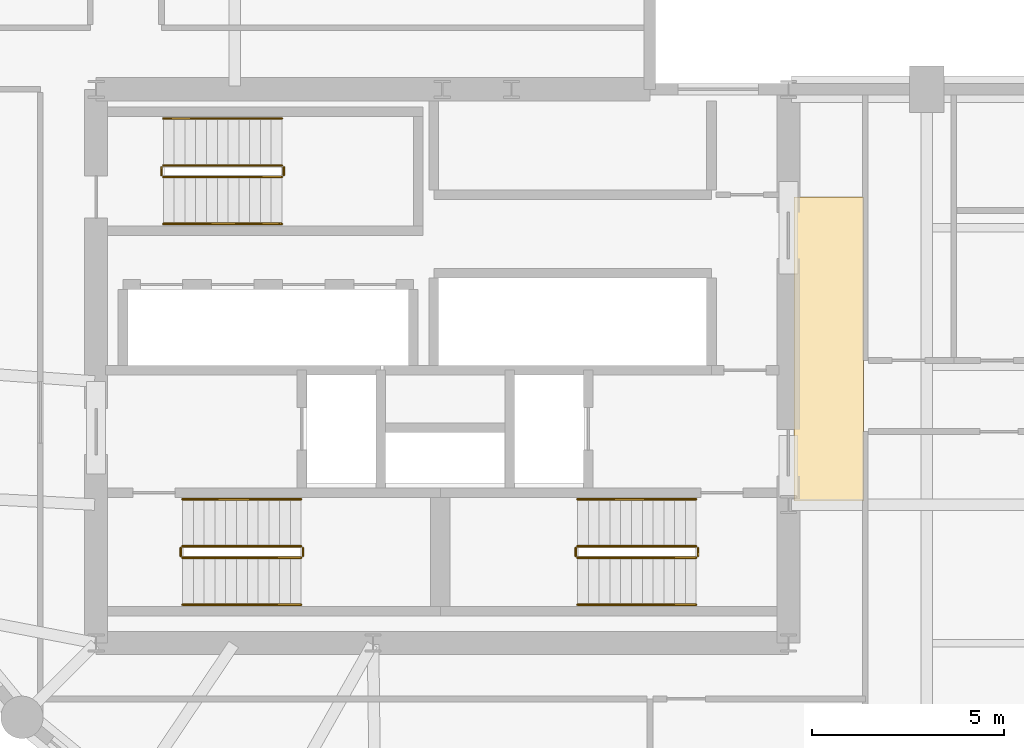
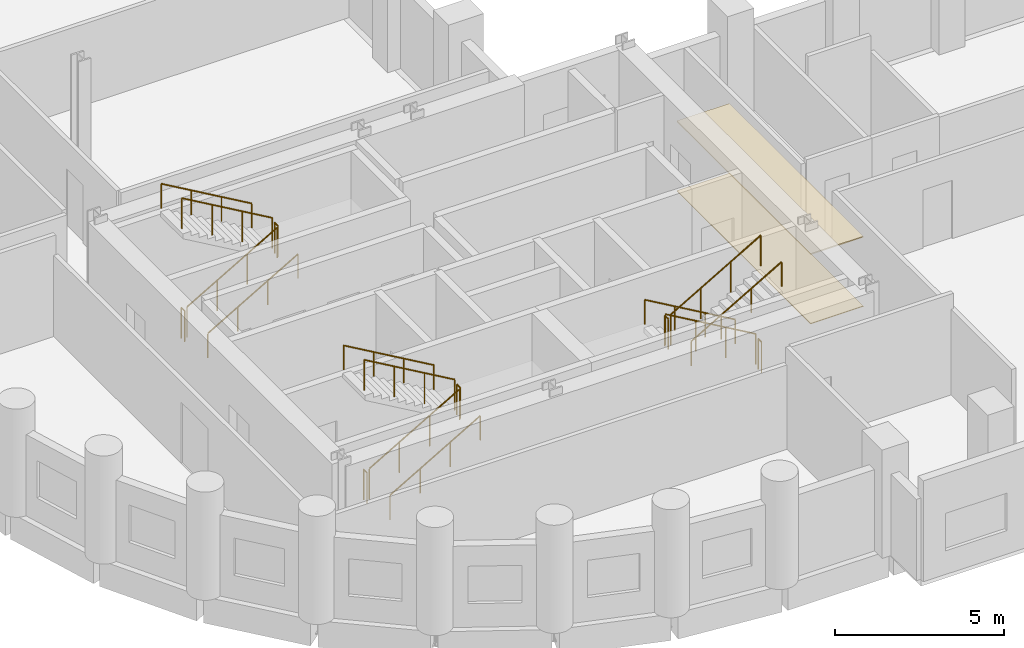
# One storey, part 9 of 9: 18 railings, 2 coverings.
"""IFC4 building model written with IfcOpenShell, lengths in metres."""

import ifcopenshell
import ifcopenshell.guid

model = None  # the IFC model being written
_history = None  # IfcOwnerHistory: only IFC2X3 demands one
_inside = {}  # id of a spatial element -> (the spatial element, [elements in it])
_under = {}  # id of a project, library or spatial element -> (it, [spatial elements below it])
_declared = {}  # id of a project -> (the project, [libraries it declares])
_typed = {}  # id of a type object -> (the type object, [elements of that type])
_made_of = {}  # id of a material, layer set ... -> (it, [elements and type objects made of it])


def new_model(schema):
    """Start an empty IFC model of exactly this schema.

    Asked for "IFC4X3", IfcOpenShell would pick the latest addendum, in which some entities
    have other attributes; the version numbers below select the first issue.
    IFC2X3 requires an IfcOwnerHistory on every rooted entity: one is made here for all.
    """
    global model, _history
    if schema == "IFC4X3":
        model = ifcopenshell.file(schema_version=(4, 3, 0, 0))
    else:
        model = ifcopenshell.file(schema=schema)
    _inside.clear()
    _under.clear()
    _declared.clear()
    _typed.clear()
    _made_of.clear()
    _history = None
    if model.schema == "IFC2X3":
        org = make("IfcOrganization", Name="unknown")
        user = make(
            "IfcPersonAndOrganization",
            ThePerson=make("IfcPerson", FamilyName="unknown"),
            TheOrganization=org,
        )
        app = make(
            "IfcApplication",
            ApplicationDeveloper=org,
            Version="unknown",
            ApplicationFullName="unknown",
            ApplicationIdentifier="unknown",
        )
        _history = make(
            "IfcOwnerHistory",
            OwningUser=user,
            OwningApplication=app,
            ChangeAction="ADDED",
            CreationDate=0,
        )
    return model


def make(cls, **values):
    """One entity of the class cls with the attributes given. An attribute that is None is left unset."""
    return model.create_entity(
        cls, **{name: value for name, value in values.items() if value is not None}
    )


def rooted(cls, **values):
    """An entity with a GlobalId (a new one), such as an element, a storey or a relation."""
    return make(cls, GlobalId=ifcopenshell.guid.new(), OwnerHistory=_history, **values)


def si_unit(unit_type, name, prefix=None):
    """IfcSIUnit, for example si_unit("LENGTHUNIT", "METRE", prefix="MILLI")."""
    return make("IfcSIUnit", UnitType=unit_type, Prefix=prefix, Name=name)


def assignment(units):
    """IfcUnitAssignment: the units of a project."""
    return None if units is None else make("IfcUnitAssignment", Units=units)


def point(xyz):
    """IfcCartesianPoint."""
    return None if xyz is None else make("IfcCartesianPoint", Coordinates=xyz)


def direction(xyz):
    """IfcDirection."""
    return None if xyz is None else make("IfcDirection", DirectionRatios=xyz)


def frame(location, z_axis=None, x_axis=None):
    """IfcAxis2Placement3D, a coordinate frame: its origin and axes. An axis left out is left unset."""
    return make(
        "IfcAxis2Placement3D",
        Location=point(location),
        Axis=direction(z_axis),
        RefDirection=direction(x_axis),
    )


def frame_2d(location, x_axis=None):
    """IfcAxis2Placement2D, a coordinate frame in the plane: its origin and x axis."""
    return make(
        "IfcAxis2Placement2D", Location=point(location), RefDirection=direction(x_axis)
    )


def origin():
    """The frame at (0, 0, 0) with its axes left unset."""
    return frame((0.0, 0.0, 0.0))


def origin_2d():
    """The frame at (0, 0) in the plane with its x axis left unset."""
    return frame_2d((0.0, 0.0))


def place(relative_to, where):
    """IfcLocalPlacement: puts the frame where relative to a parent placement (None: the world)."""
    return make(
        "IfcLocalPlacement", PlacementRelTo=relative_to, RelativePlacement=where
    )


def context(
    kind, dimensions, precision=None, world=None, true_north=None, identifier=None
):
    """IfcGeometricRepresentationContext, for example the 3D "Model" context."""
    return make(
        "IfcGeometricRepresentationContext",
        ContextIdentifier=identifier,
        ContextType=kind,
        CoordinateSpaceDimension=dimensions,
        Precision=precision,
        WorldCoordinateSystem=world,
        TrueNorth=true_north,
    )


def subcontext(parent, identifier, kind, view, scale=None):
    """IfcGeometricRepresentationSubContext, for example "Body" below "Model"."""
    return make(
        "IfcGeometricRepresentationSubContext",
        ContextIdentifier=identifier,
        ContextType=kind,
        ParentContext=parent,
        TargetScale=scale,
        TargetView=view,
    )


def project(units=None, contexts=None):
    """IfcProject with its units and contexts."""
    return rooted(
        "IfcProject",
        Name="project",
        RepresentationContexts=contexts,
        UnitsInContext=assignment(units),
    )


def spatial(cls, under=None, at=None, **own):
    """A site, building, storey or space (cls), placed at a placement, below another one or the project."""
    s = rooted(cls, ObjectPlacement=at, **own)
    if under is not None:
        _under.setdefault(under.id(), (under, []))[1].append(s)
    return s


def polyline(points):
    """IfcPolyline through the points."""
    return make("IfcPolyline", Points=[point(p) for p in points])


def profile(cls, at=None, kind="AREA", **sizes):
    """A parametric profile (cls). Its sizes go by their IFC names, for example OverallWidth=200.0."""
    return make(cls, ProfileType=kind, Position=at, **sizes)


def circle(**sizes):
    """IfcCircleProfileDef."""
    return profile("IfcCircleProfileDef", **sizes)


def outline(outer, holes=None, kind="AREA"):
    """IfcArbitraryClosedProfileDef: a profile drawn as a closed curve; with holes, ...WithVoids."""
    if holes is None:
        return make("IfcArbitraryClosedProfileDef", ProfileType=kind, OuterCurve=outer)
    return make(
        "IfcArbitraryProfileDefWithVoids",
        ProfileType=kind,
        OuterCurve=outer,
        InnerCurves=holes,
    )


def extrude(swept, where, along, depth):
    """IfcExtrudedAreaSolid: the profile swept, set in the frame where, extruded along a direction by depth."""
    return make(
        "IfcExtrudedAreaSolid",
        SweptArea=swept,
        Position=where,
        ExtrudedDirection=direction(along),
        Depth=depth,
    )


def shape(context_of_items, identifier, shape_type, items):
    """IfcShapeRepresentation: the items that make up one representation, for example the "Body"."""
    return make(
        "IfcShapeRepresentation",
        ContextOfItems=context_of_items,
        RepresentationIdentifier=identifier,
        RepresentationType=shape_type,
        Items=items,
    )


def material(Name=None, Category=None):
    """IfcMaterial."""
    return make("IfcMaterial", Name=Name, Category=Category)


def layer(
    of_material, thickness, ventilated=None, Name=None, Category=None, Priority=None
):
    """IfcMaterialLayer: one layer of a wall or slab, of a material (None: an air gap)."""
    return make(
        "IfcMaterialLayer",
        Material=of_material,
        LayerThickness=thickness,
        IsVentilated=ventilated,
        Name=Name,
        Category=Category,
        Priority=Priority,
    )


def layer_set(layers, Name=None):
    """IfcMaterialLayerSet."""
    return make("IfcMaterialLayerSet", MaterialLayers=layers, LayerSetName=Name)


def made_of(thing, what):
    """Note that an element or type object is made of a material, layer set ...; save() writes the relation."""
    if what is not None:
        _made_of.setdefault(what.id(), (what, []))[1].append(thing)
    return thing


def type_object(cls, material=None, **own):
    """A type object (cls), such as IfcWallType, which elements share."""
    return made_of(rooted(cls, **own), material)


def element(
    cls,
    number,
    at=None,
    inside=None,
    cuts=None,
    type_object=None,
    material=None,
    context=None,
    identifier="Body",
    shape_type=None,
    held_by="IfcProductDefinitionShape",
    body=None,
    shapes=None,
    **own,
):
    """One element of the class cls, such as IfcWall. Its Tag is "e" and its number.

    at: its placement. inside: the storey or other place that contains it. cuts: it is an
    opening in that element (IfcRelVoidsElement). A single representation is given by context,
    identifier, shape_type and body (its items); several are given by shapes. held_by: the class
    of the entity that holds the representations. save() writes the other relations.
    """
    e = rooted(cls, Tag="e%d" % number, ObjectPlacement=at, **own)
    if body is not None:
        shapes = [shape(context, identifier, shape_type, body)]
    if shapes is not None:
        e.Representation = make(held_by, Representations=shapes)
    if inside is not None:
        _inside.setdefault(inside.id(), (inside, []))[1].append(e)
    if cuts is not None:
        rooted(
            "IfcRelVoidsElement", RelatingBuildingElement=cuts, RelatedOpeningElement=e
        )
    if type_object is not None:
        _typed.setdefault(type_object.id(), (type_object, []))[1].append(e)
    return made_of(e, material)


def aggregate(whole, parts):
    """IfcRelAggregates: a whole, such as a stair, and the parts it consists of."""
    return rooted("IfcRelAggregates", RelatingObject=whole, RelatedObjects=parts)


def save(model, path):
    """Write the relations noted so far, then the file.

    IfcRelAggregates (storeys below a building ...), IfcRelContainedInSpatialStructure (elements
    in a storey), IfcRelDefinesByType, IfcRelAssociatesMaterial and IfcRelDeclares: one each for
    every whole, place, type object, material and project.
    """
    for whole, parts in _under.values():
        aggregate(whole, parts)
    for where, things in _inside.values():
        rooted(
            "IfcRelContainedInSpatialStructure",
            RelatedElements=things,
            RelatingStructure=where,
        )
    for kind, things in _typed.values():
        rooted("IfcRelDefinesByType", RelatedObjects=things, RelatingType=kind)
    for what, things in _made_of.values():
        rooted("IfcRelAssociatesMaterial", RelatedObjects=things, RelatingMaterial=what)
    for by, libraries in _declared.values():
        rooted("IfcRelDeclares", RelatingContext=by, RelatedDefinitions=libraries)
    model.write(path)


model = new_model("IFC4")

# Units and contexts
model_context = context("Model", 3, precision=1e-05, world=origin(), true_north=direction((0.0, 1.0)))
body_context = subcontext(model_context, "Body", "Model", "MODEL_VIEW")
ifc_project = project(units=[si_unit("LENGTHUNIT", "METRE"), si_unit("AREAUNIT", "SQUARE_METRE"), si_unit("VOLUMEUNIT", "CUBIC_METRE"), si_unit("PLANEANGLEUNIT", "RADIAN"), si_unit("MASSUNIT", "GRAM", prefix="KILO")], contexts=[model_context])

# Site, building, storey
site_placement = place(None, origin())
site = spatial("IfcSite", under=ifc_project, at=site_placement, CompositionType="ELEMENT")
building_placement = place(site_placement, origin())
building = spatial("IfcBuilding", under=site, at=building_placement, Name="Solnavia Interchange Tower", CompositionType="ELEMENT")
storey_placement = place(building_placement, frame((0.0, 0.0, 66.89990234375)))
storey = spatial("IfcBuildingStorey", under=building, at=storey_placement, Name="L16", CompositionType="ELEMENT", Elevation=66.89990234375)

# Coverings
ifc_material_1 = material(Name="Perforated Mineral-Fibre & Gypsum Ceiling", Category="gypsum")
ifc_layer_1 = layer(ifc_material_1, 0.0400390625)
ifc_layer_set_1 = layer_set([ifc_layer_1], Name="Perforated Mineral-Fibre & Gypsum Ceiling")
covering_type_1 = type_object("IfcCoveringType", Name="Covering-Ceiling-Acoustic40", PredefinedType="CEILING", material=ifc_layer_set_1)
covering_1_placement = place(storey_placement, frame((0.0, 0.0, 2.5)))
element("IfcCovering", 1, at=covering_1_placement, inside=storey, type_object=covering_type_1, Name="CLG-L16-01 Circulation suspended acoustic ceiling", PredefinedType="CEILING", context=body_context, shape_type="SweptSolid", body=[
    extrude(outline(polyline([(32.550048828125, 14.5), (34.35009765625, 14.5), (34.35009765625, 22.39990234375), (32.550048828125, 22.39990234375), (32.550048828125, 14.5)])), origin(), (0.0, 0.0, 1.0), 0.0400390625),
])
ifc_material_2 = material(Name="Polished Alicante Stone Terrazzo", Category="masonry")
ifc_layer_2 = layer(ifc_material_2, 0.02490234375)
ifc_layer_set_2 = layer_set([ifc_layer_2], Name="Polished Alicante Stone Terrazzo")
covering_type_2 = type_object("IfcCoveringType", Name="Covering-Flooring-Terrazzo25", PredefinedType="FLOORING", material=ifc_layer_set_2)
covering_2_placement = place(storey_placement, origin())
element("IfcCovering", 2, at=covering_2_placement, inside=storey, type_object=covering_type_2, Name="FLR-L16-01 Circulation floor finish", PredefinedType="FLOORING", context=body_context, shape_type="SweptSolid", body=[
    extrude(outline(polyline([(32.550048828125, 14.5), (34.35009765625, 14.5), (34.35009765625, 22.39990234375), (32.550048828125, 22.39990234375), (32.550048828125, 14.5)])), origin(), (0.0, 0.0, 1.0), 0.025146484375),
])

# Railings
ifc_material_3 = material(Name="Painted Steel Balustrade", Category="steel")
railing_type_1 = type_object("IfcRailingType", Name="Railing-StairGuard-1100", PredefinedType="GUARDRAIL", material=ifc_material_3)
railing_1_placement = place(storey_placement, frame((16.64990234375, 13.02001953125, 0.16259765625)))
element("IfcRailing", 3, at=railing_1_placement, inside=storey, type_object=railing_type_1, Name="L16 ST-1 stair guard 1", PredefinedType="GUARDRAIL", context=body_context, shape_type="SweptSolid", body=[
    extrude(circle(Radius=0.02392578125, at=origin_2d()), frame((0.0, 0.0, 1.09619140625), z_axis=(0.864890721111, 0.0, 0.501960198159), x_axis=(0.0, 1.0, 0.0)), (0.0, 0.0, 1.0), 3.561279296875),
    extrude(circle(Radius=0.02099609375, at=origin_2d()), origin(), (0.0, 0.0, 1.0), 1.072021484375),
    extrude(circle(Radius=0.02099609375, at=origin_2d()), frame((1.026611328125, 0.0, 0.595947265625)), (0.0, 0.0, 1.0), 1.072021484375),
    extrude(circle(Radius=0.02099609375, at=origin_2d()), frame((2.053466796875, 0.0, 1.191650390625)), (0.0, 0.0, 1.0), 1.072021484375),
    extrude(circle(Radius=0.02099609375, at=origin_2d()), frame((3.080078125, 0.0, 1.78759765625)), (0.0, 0.0, 1.0), 1.072021484375),
])
railing_2_placement = place(storey_placement, frame((19.780029296875, 13.070068359375, 1.9501953125)))
element("IfcRailing", 4, at=railing_2_placement, inside=storey, type_object=railing_type_1, Name="L16 ST-1 stair guard 2", PredefinedType="GUARDRAIL", context=body_context, shape_type="SweptSolid", body=[
    extrude(circle(Radius=0.02392578125, at=origin_2d()), frame((0.0, 0.0, 1.09619140625), z_axis=(0.0, 1.0, 0.0), x_axis=(-1.0, 0.0, 0.0)), (0.0, 0.0, 1.0), 0.199951171875),
    extrude(circle(Radius=0.02099609375, at=origin_2d()), origin(), (0.0, 0.0, 1.0), 1.072021484375),
    extrude(circle(Radius=0.02099609375, at=origin_2d()), frame((0.0, 0.199951171875, 0.0)), (0.0, 0.0, 1.0), 1.072021484375),
])
railing_3_placement = place(storey_placement, frame((19.72998046875, 13.320068359375, 2.112548828125)))
element("IfcRailing", 5, at=railing_3_placement, inside=storey, type_object=railing_type_1, Name="L16 ST-1 stair guard 3", PredefinedType="GUARDRAIL", context=body_context, shape_type="SweptSolid", body=[
    extrude(circle(Radius=0.02392578125, at=origin_2d()), frame((0.0, 0.0, 1.09619140625), z_axis=(-0.864890721111, 0.0, 0.501960198159), x_axis=(0.0, -1.0, 0.0)), (0.0, 0.0, 1.0), 3.561279296875),
    extrude(circle(Radius=0.02099609375, at=origin_2d()), origin(), (0.0, 0.0, 1.0), 1.072021484375),
    extrude(circle(Radius=0.02099609375, at=origin_2d()), frame((-1.026611328125, 0.0, 0.595947265625)), (0.0, 0.0, 1.0), 1.072021484375),
    extrude(circle(Radius=0.02099609375, at=origin_2d()), frame((-2.053466796875, 0.0, 1.191650390625)), (0.0, 0.0, 1.0), 1.072021484375),
    extrude(circle(Radius=0.02099609375, at=origin_2d()), frame((-3.080078125, 0.0, 1.78759765625)), (0.0, 0.0, 1.0), 1.072021484375),
])
railing_4_placement = place(storey_placement, frame((16.60009765625, 13.070068359375, 0.0)))
element("IfcRailing", 6, at=railing_4_placement, inside=storey, type_object=railing_type_1, Name="L16 ST-1 stair guard 4", PredefinedType="GUARDRAIL", context=body_context, shape_type="SweptSolid", body=[
    extrude(circle(Radius=0.02392578125, at=origin_2d()), frame((0.0, 0.0, 1.09619140625), z_axis=(0.0, 1.0, 0.0), x_axis=(-1.0, 0.0, 0.0)), (0.0, 0.0, 1.0), 0.199951171875),
    extrude(circle(Radius=0.02099609375, at=origin_2d()), origin(), (0.0, 0.0, 1.0), 1.072021484375),
    extrude(circle(Radius=0.02099609375, at=origin_2d()), frame((0.0, 0.199951171875, 0.0)), (0.0, 0.0, 1.0), 1.072021484375),
])
railing_5_placement = place(storey_placement, frame((30.0, 13.320068359375, 0.16259765625)))
element("IfcRailing", 7, at=railing_5_placement, inside=storey, type_object=railing_type_1, Name="L16 ST-2 stair guard 1", PredefinedType="GUARDRAIL", context=body_context, shape_type="SweptSolid", body=[
    extrude(circle(Radius=0.02392578125, at=origin_2d()), frame((0.0, 0.0, 1.09619140625), z_axis=(-0.864890721111, 0.0, 0.501960198159), x_axis=(0.0, -1.0, 0.0)), (0.0, 0.0, 1.0), 3.561279296875),
    extrude(circle(Radius=0.02099609375, at=origin_2d()), origin(), (0.0, 0.0, 1.0), 1.072021484375),
    extrude(circle(Radius=0.02099609375, at=origin_2d()), frame((-1.026611328125, 0.0, 0.595947265625)), (0.0, 0.0, 1.0), 1.072021484375),
    extrude(circle(Radius=0.02099609375, at=origin_2d()), frame((-2.053466796875, 0.0, 1.191650390625)), (0.0, 0.0, 1.0), 1.072021484375),
    extrude(circle(Radius=0.02099609375, at=origin_2d()), frame((-3.080078125, 0.0, 1.78759765625)), (0.0, 0.0, 1.0), 1.072021484375),
])
railing_6_placement = place(storey_placement, frame((26.8701171875, 13.27001953125, 1.9501953125)))
element("IfcRailing", 8, at=railing_6_placement, inside=storey, type_object=railing_type_1, Name="L16 ST-2 stair guard 2", PredefinedType="GUARDRAIL", context=body_context, shape_type="SweptSolid", body=[
    extrude(circle(Radius=0.02392578125, at=origin_2d()), frame((0.0, 0.0, 1.09619140625), z_axis=(0.0, -1.0, 0.0), x_axis=(1.0, 0.0, 0.0)), (0.0, 0.0, 1.0), 0.199951171875),
    extrude(circle(Radius=0.02099609375, at=origin_2d()), origin(), (0.0, 0.0, 1.0), 1.072021484375),
    extrude(circle(Radius=0.02099609375, at=origin_2d()), frame((0.0, -0.199951171875, 0.0)), (0.0, 0.0, 1.0), 1.072021484375),
])
railing_7_placement = place(storey_placement, frame((26.919921875, 13.02001953125, 2.112548828125)))
element("IfcRailing", 9, at=railing_7_placement, inside=storey, type_object=railing_type_1, Name="L16 ST-2 stair guard 3", PredefinedType="GUARDRAIL", context=body_context, shape_type="SweptSolid", body=[
    extrude(circle(Radius=0.02392578125, at=origin_2d()), frame((0.0, 0.0, 1.09619140625), z_axis=(0.864890721111, 0.0, 0.501960198159), x_axis=(0.0, 1.0, 0.0)), (0.0, 0.0, 1.0), 3.561279296875),
    extrude(circle(Radius=0.02099609375, at=origin_2d()), origin(), (0.0, 0.0, 1.0), 1.072021484375),
    extrude(circle(Radius=0.02099609375, at=origin_2d()), frame((1.026611328125, 0.0, 0.595947265625)), (0.0, 0.0, 1.0), 1.072021484375),
    extrude(circle(Radius=0.02099609375, at=origin_2d()), frame((2.053466796875, 0.0, 1.191650390625)), (0.0, 0.0, 1.0), 1.072021484375),
    extrude(circle(Radius=0.02099609375, at=origin_2d()), frame((3.080078125, 0.0, 1.78759765625)), (0.0, 0.0, 1.0), 1.072021484375),
])
railing_8_placement = place(storey_placement, frame((30.050048828125, 13.27001953125, 0.0)))
element("IfcRailing", 10, at=railing_8_placement, inside=storey, type_object=railing_type_1, Name="L16 ST-2 stair guard 4", PredefinedType="GUARDRAIL", context=body_context, shape_type="SweptSolid", body=[
    extrude(circle(Radius=0.02392578125, at=origin_2d()), frame((0.0, 0.0, 1.09619140625), z_axis=(0.0, -1.0, 0.0), x_axis=(1.0, 0.0, 0.0)), (0.0, 0.0, 1.0), 0.199951171875),
    extrude(circle(Radius=0.02099609375, at=origin_2d()), origin(), (0.0, 0.0, 1.0), 1.072021484375),
    extrude(circle(Radius=0.02099609375, at=origin_2d()), frame((0.0, -0.199951171875, 0.0)), (0.0, 0.0, 1.0), 1.072021484375),
])
railing_9_placement = place(storey_placement, frame((16.14990234375, 22.919921875, 0.16259765625)))
element("IfcRailing", 11, at=railing_9_placement, inside=storey, type_object=railing_type_1, Name="L16 ST-3 stair guard 1", PredefinedType="GUARDRAIL", context=body_context, shape_type="SweptSolid", body=[
    extrude(circle(Radius=0.02392578125, at=origin_2d()), frame((0.0, 0.0, 1.09619140625), z_axis=(0.864890721111, 0.0, 0.501960198159), x_axis=(0.0, 1.0, 0.0)), (0.0, 0.0, 1.0), 3.561279296875),
    extrude(circle(Radius=0.02099609375, at=origin_2d()), origin(), (0.0, 0.0, 1.0), 1.072021484375),
    extrude(circle(Radius=0.02099609375, at=origin_2d()), frame((1.026611328125, 0.0, 0.595947265625)), (0.0, 0.0, 1.0), 1.072021484375),
    extrude(circle(Radius=0.02099609375, at=origin_2d()), frame((2.053466796875, 0.0, 1.191650390625)), (0.0, 0.0, 1.0), 1.072021484375),
    extrude(circle(Radius=0.02099609375, at=origin_2d()), frame((3.080078125, 0.0, 1.78759765625)), (0.0, 0.0, 1.0), 1.072021484375),
])
railing_10_placement = place(storey_placement, frame((19.280029296875, 22.969970703125, 1.9501953125)))
element("IfcRailing", 12, at=railing_10_placement, inside=storey, type_object=railing_type_1, Name="L16 ST-3 stair guard 2", PredefinedType="GUARDRAIL", context=body_context, shape_type="SweptSolid", body=[
    extrude(circle(Radius=0.02392578125, at=origin_2d()), frame((0.0, 0.0, 1.09619140625), z_axis=(0.0, 1.0, 0.0), x_axis=(-1.0, 0.0, 0.0)), (0.0, 0.0, 1.0), 0.199951171875),
    extrude(circle(Radius=0.02099609375, at=origin_2d()), origin(), (0.0, 0.0, 1.0), 1.072021484375),
    extrude(circle(Radius=0.02099609375, at=origin_2d()), frame((0.0, 0.199951171875, 0.0)), (0.0, 0.0, 1.0), 1.072021484375),
])
railing_11_placement = place(storey_placement, frame((19.22998046875, 23.219970703125, 2.112548828125)))
element("IfcRailing", 13, at=railing_11_placement, inside=storey, type_object=railing_type_1, Name="L16 ST-3 stair guard 3", PredefinedType="GUARDRAIL", context=body_context, shape_type="SweptSolid", body=[
    extrude(circle(Radius=0.02392578125, at=origin_2d()), frame((0.0, 0.0, 1.09619140625), z_axis=(-0.864890721111, 0.0, 0.501960198159), x_axis=(0.0, -1.0, 0.0)), (0.0, 0.0, 1.0), 3.561279296875),
    extrude(circle(Radius=0.02099609375, at=origin_2d()), origin(), (0.0, 0.0, 1.0), 1.072021484375),
    extrude(circle(Radius=0.02099609375, at=origin_2d()), frame((-1.026611328125, 0.0, 0.595947265625)), (0.0, 0.0, 1.0), 1.072021484375),
    extrude(circle(Radius=0.02099609375, at=origin_2d()), frame((-2.053466796875, 0.0, 1.191650390625)), (0.0, 0.0, 1.0), 1.072021484375),
    extrude(circle(Radius=0.02099609375, at=origin_2d()), frame((-3.080078125, 0.0, 1.78759765625)), (0.0, 0.0, 1.0), 1.072021484375),
])
railing_12_placement = place(storey_placement, frame((16.10009765625, 22.969970703125, 0.0)))
element("IfcRailing", 14, at=railing_12_placement, inside=storey, type_object=railing_type_1, Name="L16 ST-3 stair guard 4", PredefinedType="GUARDRAIL", context=body_context, shape_type="SweptSolid", body=[
    extrude(circle(Radius=0.02392578125, at=origin_2d()), frame((0.0, 0.0, 1.09619140625), z_axis=(0.0, 1.0, 0.0), x_axis=(-1.0, 0.0, 0.0)), (0.0, 0.0, 1.0), 0.199951171875),
    extrude(circle(Radius=0.02099609375, at=origin_2d()), origin(), (0.0, 0.0, 1.0), 1.072021484375),
    extrude(circle(Radius=0.02099609375, at=origin_2d()), frame((0.0, 0.199951171875, 0.0)), (0.0, 0.0, 1.0), 1.072021484375),
])
ifc_material_4 = material(Name="Brushed Stainless Steel", Category="steel")
railing_type_2 = type_object("IfcRailingType", Name="Railing-StairHandrail-900", PredefinedType="HANDRAIL", material=ifc_material_4)
railing_13_placement = place(storey_placement, frame((16.64990234375, 11.800048828125, 0.16259765625)))
element("IfcRailing", 15, at=railing_13_placement, inside=storey, type_object=railing_type_2, Name="L16 ST-1 stair handrail 1", PredefinedType="HANDRAIL", context=body_context, shape_type="SweptSolid", body=[
    extrude(circle(Radius=0.02392578125, at=origin_2d()), frame((0.0, 0.0, 0.8759765625), z_axis=(0.864890721111, 0.0, 0.501960198159), x_axis=(0.0, 1.0, 0.0)), (0.0, 0.0, 1.0), 3.561279296875),
    extrude(circle(Radius=0.02099609375, at=origin_2d()), origin(), (0.0, 0.0, 1.0), 0.851806640625),
    extrude(circle(Radius=0.02099609375, at=origin_2d()), frame((1.026611328125, 0.0, 0.595947265625)), (0.0, 0.0, 1.0), 0.851806640625),
    extrude(circle(Radius=0.02099609375, at=origin_2d()), frame((2.053466796875, 0.0, 1.191650390625)), (0.0, 0.0, 1.0), 0.851806640625),
    extrude(circle(Radius=0.02099609375, at=origin_2d()), frame((3.080078125, 0.0, 1.78759765625)), (0.0, 0.0, 1.0), 0.851806640625),
])
for number, where, name in (
    (16, (19.72998046875, 14.5400390625, 2.112548828125), "L16 ST-1 stair handrail 2"),
    (17, (30.0, 14.5400390625, 0.16259765625), "L16 ST-2 stair handrail 1"),
):
    element("IfcRailing", number, at=place(storey_placement, frame(where)), inside=storey, type_object=railing_type_2, Name=name, PredefinedType="HANDRAIL", context=body_context, shape_type="SweptSolid", body=[
        extrude(circle(Radius=0.02392578125, at=origin_2d()), frame((0.0, 0.0, 0.8759765625), z_axis=(-0.864890721111, 0.0, 0.501960198159), x_axis=(0.0, -1.0, 0.0)), (0.0, 0.0, 1.0), 3.561279296875),
        extrude(circle(Radius=0.02099609375, at=origin_2d()), origin(), (0.0, 0.0, 1.0), 0.851806640625),
        extrude(circle(Radius=0.02099609375, at=origin_2d()), frame((-1.026611328125, 0.0, 0.595947265625)), (0.0, 0.0, 1.0), 0.851806640625),
        extrude(circle(Radius=0.02099609375, at=origin_2d()), frame((-2.053466796875, 0.0, 1.191650390625)), (0.0, 0.0, 1.0), 0.851806640625),
        extrude(circle(Radius=0.02099609375, at=origin_2d()), frame((-3.080078125, 0.0, 1.78759765625)), (0.0, 0.0, 1.0), 0.851806640625),
    ])
for number, where, name in (
    (18, (26.919921875, 11.800048828125, 2.112548828125), "L16 ST-2 stair handrail 2"),
    (19, (16.14990234375, 21.699951171875, 0.16259765625), "L16 ST-3 stair handrail 1"),
):
    element("IfcRailing", number, at=place(storey_placement, frame(where)), inside=storey, type_object=railing_type_2, Name=name, PredefinedType="HANDRAIL", context=body_context, shape_type="SweptSolid", body=[
        extrude(circle(Radius=0.02392578125, at=origin_2d()), frame((0.0, 0.0, 0.8759765625), z_axis=(0.864890721111, 0.0, 0.501960198159), x_axis=(0.0, 1.0, 0.0)), (0.0, 0.0, 1.0), 3.561279296875),
        extrude(circle(Radius=0.02099609375, at=origin_2d()), origin(), (0.0, 0.0, 1.0), 0.851806640625),
        extrude(circle(Radius=0.02099609375, at=origin_2d()), frame((1.026611328125, 0.0, 0.595947265625)), (0.0, 0.0, 1.0), 0.851806640625),
        extrude(circle(Radius=0.02099609375, at=origin_2d()), frame((2.053466796875, 0.0, 1.191650390625)), (0.0, 0.0, 1.0), 0.851806640625),
        extrude(circle(Radius=0.02099609375, at=origin_2d()), frame((3.080078125, 0.0, 1.78759765625)), (0.0, 0.0, 1.0), 0.851806640625),
    ])
railing_14_placement = place(storey_placement, frame((19.22998046875, 24.43994140625, 2.112548828125)))
element("IfcRailing", 20, at=railing_14_placement, inside=storey, type_object=railing_type_2, Name="L16 ST-3 stair handrail 2", PredefinedType="HANDRAIL", context=body_context, shape_type="SweptSolid", body=[
    extrude(circle(Radius=0.02392578125, at=origin_2d()), frame((0.0, 0.0, 0.8759765625), z_axis=(-0.864890721111, 0.0, 0.501960198159), x_axis=(0.0, -1.0, 0.0)), (0.0, 0.0, 1.0), 3.561279296875),
    extrude(circle(Radius=0.02099609375, at=origin_2d()), origin(), (0.0, 0.0, 1.0), 0.851806640625),
    extrude(circle(Radius=0.02099609375, at=origin_2d()), frame((-1.026611328125, 0.0, 0.595947265625)), (0.0, 0.0, 1.0), 0.851806640625),
    extrude(circle(Radius=0.02099609375, at=origin_2d()), frame((-2.053466796875, 0.0, 1.191650390625)), (0.0, 0.0, 1.0), 0.851806640625),
    extrude(circle(Radius=0.02099609375, at=origin_2d()), frame((-3.080078125, 0.0, 1.78759765625)), (0.0, 0.0, 1.0), 0.851806640625),
])

save(model, "model.ifc")
